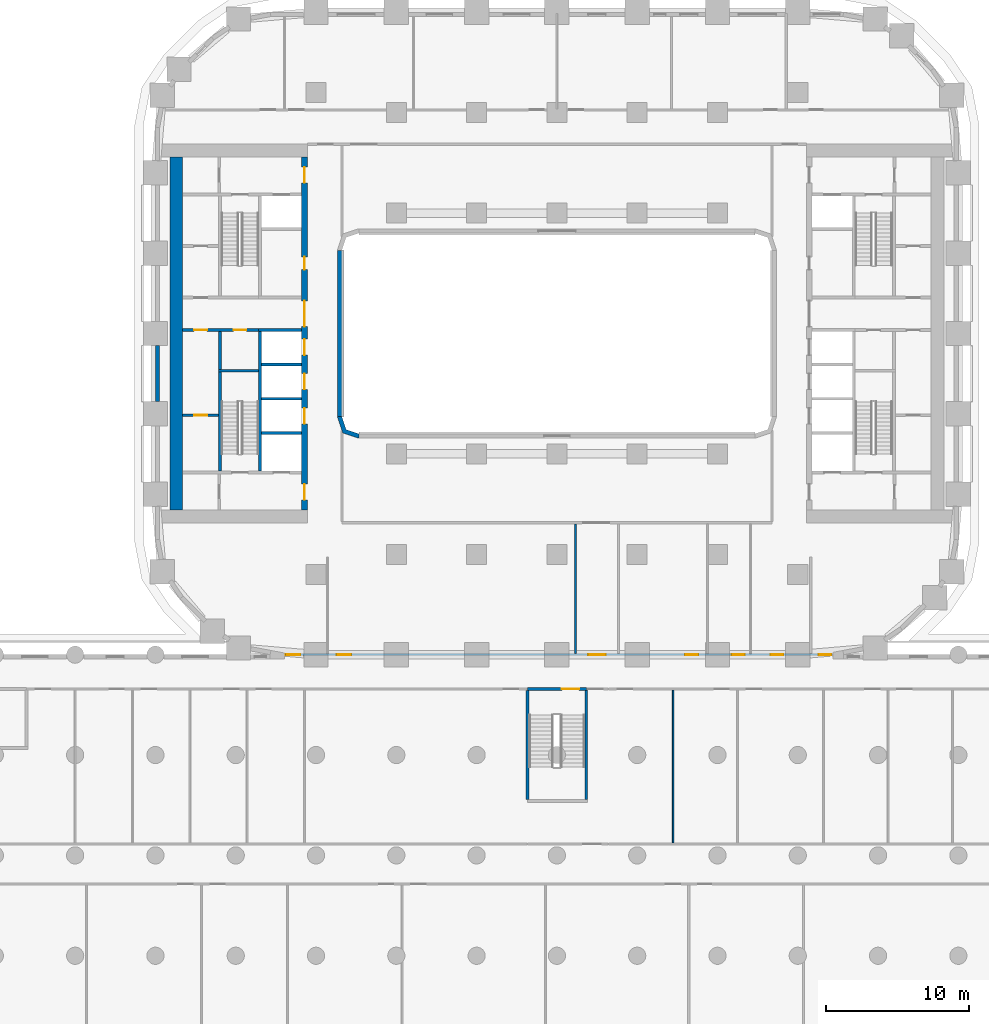
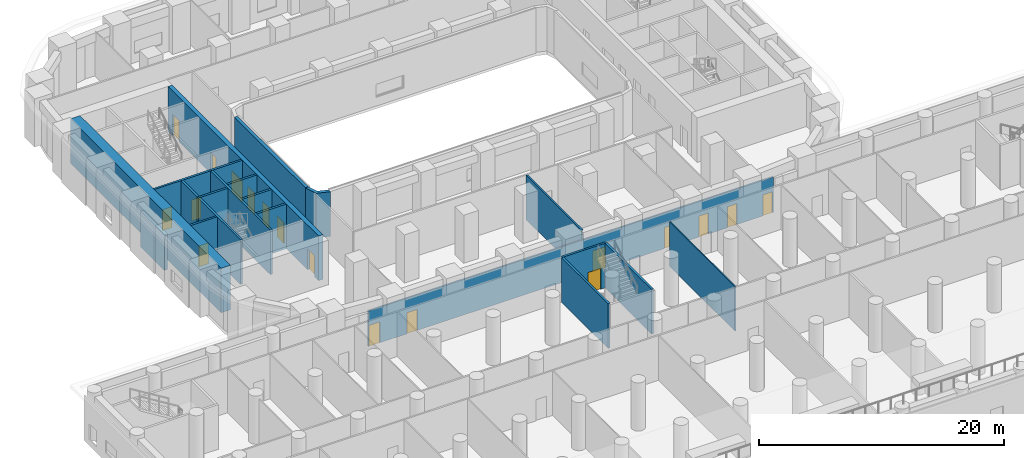
# One storey, part 11 of 27: 21 walls, 18 doors, 18 openings.
"""IFC4 building model written with IfcOpenShell, lengths in metres."""

from ifc_helpers import new_model, si_unit, direction, frame, frame_2d, origin, place, context, subcontext, project, spatial, polyline, rectangle, outline, extrude, material, layer, layer_set, type_object, element, fill, save


model = new_model("IFC4")

# Units and contexts
model_context = context("Model", 3, precision=1e-05, world=origin(), true_north=direction((0.0, 1.0)))
body_context = subcontext(model_context, "Body", "Model", "MODEL_VIEW")
ifc_project = project(units=[si_unit("LENGTHUNIT", "METRE"), si_unit("AREAUNIT", "SQUARE_METRE"), si_unit("VOLUMEUNIT", "CUBIC_METRE"), si_unit("PLANEANGLEUNIT", "RADIAN"), si_unit("MASSUNIT", "GRAM", prefix="KILO")], contexts=[model_context])

# Site, building, storey
site_placement = place(None, origin())
site = spatial("IfcSite", under=ifc_project, at=site_placement, CompositionType="ELEMENT")
building_placement = place(site_placement, origin())
building = spatial("IfcBuilding", under=site, at=building_placement, Name="Kiln Ring Residences", CompositionType="ELEMENT")
storey_placement = place(building_placement, frame((0.0, 0.0, 6.5)))
storey = spatial("IfcBuildingStorey", under=building, at=storey_placement, Name="L01", CompositionType="ELEMENT", Elevation=6.5)

# Wall
ifc_material_1 = material(Name="Gypsum board on steel studs", Category="steel")
ifc_layer_1 = layer(ifc_material_1, 0.199951171875)
ifc_layer_set_1 = layer_set([ifc_layer_1], Name="CORE-PARTITION-200")
wall_type_1 = type_object("IfcWallType", Name="CORE-PARTITION-200", PredefinedType="PARTITIONING", material=ifc_layer_set_1)
wall_1_placement = place(storey_placement, frame((-23.5, -2.5, 0.0), z_axis=(0.0, 0.0, 1.0), x_axis=(0.0, 1.0, 0.0)))
element("IfcWall", 1, at=wall_1_placement, inside=storey, type_object=wall_type_1, Name="Core partition west L01 1", PredefinedType="PARTITIONING", context=body_context, shape_type="SweptSolid", body=[
    extrude(rectangle(XDim=2.64990234375, YDim=0.199951171875, at=frame_2d((1.324951171875, 0.0))), origin(), (0.0, 0.0, 1.0), 4.449951171875),
])

# Wall, openings, doors
wall_2_placement = place(storey_placement, frame((-20.800048828125, 0.25, 0.0), z_axis=(0.0, 0.0, 1.0), x_axis=(-1.0, 0.0, 0.0)))
wall_2 = element("IfcWall", 2, at=wall_2_placement, inside=storey, type_object=wall_type_1, Name="Core partition west L01 2", PredefinedType="PARTITIONING", context=body_context, shape_type="SweptSolid", body=[
    extrude(rectangle(XDim=5.300048828125, YDim=0.199951171875, at=frame_2d((2.64990234375, 0.0))), origin(), (0.0, 0.0, 1.0), 4.449951171875),
])
opening_1_placement = place(wall_2_placement, frame((0.85009765625, 0.0, 0.0)))
opening_1 = element("IfcOpeningElement", 3, at=opening_1_placement, cuts=wall_2, Name="Opening L01-CW14", PredefinedType="OPENING", context=body_context, shape_type="SweptSolid", body=[
    extrude(rectangle(XDim=0.89990234375, YDim=2.10009765625, at=frame_2d((0.449951171875, 1.050048828125))), frame((0.0, 0.10986328125, 0.0), z_axis=(0.0, -1.0, 0.0), x_axis=(1.0, 0.0, 0.0)), (0.0, 0.0, 1.0), 0.219970703125),
])
opening_2_placement = place(wall_2_placement, frame((3.60009765625, 0.0, 0.0)))
opening_2 = element("IfcOpeningElement", 4, at=opening_2_placement, cuts=wall_2, Name="Opening L01-CW16", PredefinedType="OPENING", context=body_context, shape_type="SweptSolid", body=[
    extrude(rectangle(XDim=0.89990234375, YDim=2.10009765625, at=frame_2d((0.449951171875, 1.050048828125))), frame((0.0, 0.10986328125, 0.0), z_axis=(0.0, -1.0, 0.0), x_axis=(1.0, 0.0, 0.0)), (0.0, 0.0, 1.0), 0.219970703125),
])
ifc_material_2 = material(Name="Steel door leaf", Category="steel")
door_type_1 = type_object("IfcDoorType", Name="CORE-DOOR-ROOM", OperationType="SINGLE_SWING_LEFT", PredefinedType="DOOR", material=ifc_material_2)
door_1_placement = place(opening_1_placement, origin())
door_1 = element("IfcDoor", 5, at=door_1_placement, inside=storey, type_object=door_type_1, Name="Housekeeping store L01-CW14", OperationType="SINGLE_SWING_RIGHT", OverallHeight=2.10009765625, OverallWidth=0.89990234375, PredefinedType="DOOR", context=body_context, shape_type="SweptSolid", body=[
    extrude(rectangle(XDim=0.89990234375, YDim=2.10009765625, at=frame_2d((0.449951171875, 1.050048828125))), frame((0.0, 0.02490234375, 0.0), z_axis=(0.0, -1.0, 0.0), x_axis=(1.0, 0.0, 0.0)), (0.0, 0.0, 1.0), 0.050048828125),
])
fill(opening_1, door_1)
door_2_placement = place(opening_2_placement, origin())
door_2 = element("IfcDoor", 6, at=door_2_placement, inside=storey, type_object=door_type_1, Name="Battery room L01-CW16", OperationType="SINGLE_SWING_RIGHT", OverallHeight=2.10009765625, OverallWidth=0.89990234375, PredefinedType="DOOR", context=body_context, shape_type="SweptSolid", body=[
    extrude(rectangle(XDim=0.89990234375, YDim=2.10009765625, at=frame_2d((0.449951171875, 1.050048828125))), frame((0.0, 0.02490234375, 0.0), z_axis=(0.0, -1.0, 0.0), x_axis=(1.0, 0.0, 0.0)), (0.0, 0.0, 1.0), 0.050048828125),
])
fill(opening_2, door_2)

# Wall, opening, door
wall_3_placement = place(storey_placement, frame((-23.60009765625, -5.699951171875, 0.0), z_axis=(0.0, 0.0, 1.0), x_axis=(-1.0, 0.0, 0.0)))
wall_3 = element("IfcWall", 7, at=wall_3_placement, inside=storey, type_object=wall_type_1, Name="Core partition west L01 5", PredefinedType="PARTITIONING", context=body_context, shape_type="SweptSolid", body=[
    extrude(rectangle(XDim=2.5, YDim=0.199951171875, at=frame_2d((1.25, 0.0))), origin(), (0.0, 0.0, 1.0), 4.449951171875),
])
opening_3_placement = place(wall_3_placement, frame((0.800048828125, 0.0, 0.0)))
opening_3 = element("IfcOpeningElement", 8, at=opening_3_placement, cuts=wall_3, Name="Opening L01-CW15", PredefinedType="OPENING", context=body_context, shape_type="SweptSolid", body=[
    extrude(rectangle(XDim=0.89990234375, YDim=2.10009765625, at=frame_2d((0.449951171875, 1.050048828125))), frame((0.0, 0.10986328125, 0.0), z_axis=(0.0, -1.0, 0.0), x_axis=(1.0, 0.0, 0.0)), (0.0, 0.0, 1.0), 0.219970703125),
])
door_3_placement = place(opening_3_placement, origin())
door_3 = element("IfcDoor", 9, at=door_3_placement, inside=storey, type_object=door_type_1, Name="Battery room L01-CW15", OperationType="SINGLE_SWING_RIGHT", OverallHeight=2.10009765625, OverallWidth=0.89990234375, PredefinedType="DOOR", context=body_context, shape_type="SweptSolid", body=[
    extrude(rectangle(XDim=0.89990234375, YDim=2.10009765625, at=frame_2d((0.449951171875, 1.050048828125))), frame((0.0, 0.02490234375, 0.0), z_axis=(0.0, -1.0, 0.0), x_axis=(1.0, 0.0, 0.0)), (0.0, 0.0, 1.0), 0.050048828125),
])
fill(opening_3, door_3)

# Walls
ifc_material_3 = material(Name="Gypsum shaft wall system")
ifc_layer_2 = layer(ifc_material_3, 0.199951171875)
ifc_layer_set_2 = layer_set([ifc_layer_2], Name="CORE-SHAFT-WALL-200")
wall_type_2 = type_object("IfcWallType", Name="CORE-SHAFT-WALL-200", PredefinedType="PARTITIONING", material=ifc_layer_set_2)
for number, where, z_axis, x_axis, name in (
    (10, (-17.800048828125, -6.949951171875, 0.0), (0.0, 0.0, 1.0), (-1.0, 0.0, 0.0), "Core partition west L01 7"),
    (11, (-17.800048828125, -4.550048828125, 0.0), (0.0, 0.0, 1.0), (-1.0, 0.0, 0.0), "Core partition west L01 8"),
    (12, (-17.800048828125, -2.14990234375, 0.0), (0.0, 0.0, 1.0), (-1.0, 0.0, 0.0), "Core partition west L01 9"),
):
    element("IfcWall", number, at=place(storey_placement, frame(where, z_axis=z_axis, x_axis=x_axis)), inside=storey, type_object=wall_type_2, Name=name, PredefinedType="PARTITIONING", context=body_context, shape_type="SweptSolid", body=[
        extrude(rectangle(XDim=2.800048828125, YDim=0.199951171875, at=frame_2d((1.39990234375, 0.0))), origin(), (0.0, 0.0, 1.0), 4.449951171875),
    ])
wall_4_placement = place(storey_placement, frame((-17.800048828125, 0.25, 0.0), z_axis=(0.0, 0.0, 1.0), x_axis=(-1.0, 0.0, 0.0)))
element("IfcWall", 13, at=wall_4_placement, inside=storey, type_object=wall_type_2, Name="Core partition west L01 10", PredefinedType="PARTITIONING", context=body_context, shape_type="SweptSolid", body=[
    extrude(rectangle(XDim=3.0, YDim=0.199951171875, at=frame_2d((1.5, 0.0))), origin(), (0.0, 0.0, 1.0), 4.449951171875),
])
ifc_material_4 = material(Name="Concrete C40/50", Category="concrete")
ifc_layer_3 = layer(ifc_material_4, 0.199951171875)
ifc_layer_set_3 = layer_set([ifc_layer_3], Name="CORE-WALL-RC200")
wall_type_3 = type_object("IfcWallType", Name="CORE-WALL-RC200", PredefinedType="SHEAR", material=ifc_layer_set_3)
wall_5_placement = place(storey_placement, frame((-20.699951171875, -9.60009765625, 0.0), z_axis=(0.0, 0.0, 1.0), x_axis=(0.0, 1.0, 0.0)))
element("IfcWall", 14, at=wall_5_placement, inside=storey, type_object=wall_type_3, Name="Core wall west L01 2", PredefinedType="SHEAR", context=body_context, shape_type="SweptSolid", body=[
    extrude(rectangle(XDim=9.75, YDim=0.199951171875, at=frame_2d((4.875, 0.0))), origin(), (0.0, 0.0, 1.0), 4.449951171875),
])
wall_6_placement = place(storey_placement, frame((-23.5, -9.60009765625, 0.0), z_axis=(0.0, 0.0, 1.0), x_axis=(0.0, 1.0, 0.0)))
element("IfcWall", 15, at=wall_6_placement, inside=storey, type_object=wall_type_3, Name="Core wall west L01 11", PredefinedType="SHEAR", context=body_context, shape_type="SweptSolid", body=[
    extrude(rectangle(XDim=6.900146484375, YDim=0.199951171875, at=frame_2d((3.4501953125, 0.0))), origin(), (0.0, 0.0, 1.0), 4.449951171875),
])
wall_7_placement = place(storey_placement, frame((-20.800048828125, -2.60009765625, 0.0), z_axis=(0.0, 0.0, 1.0), x_axis=(-1.0, 0.0, 0.0)))
element("IfcWall", 16, at=wall_7_placement, inside=storey, type_object=wall_type_3, Name="Core wall west L01 12", PredefinedType="SHEAR", context=body_context, shape_type="SweptSolid", body=[
    extrude(rectangle(XDim=2.800048828125, YDim=0.199951171875, at=frame_2d((1.39990234375, 0.0))), origin(), (0.0, 0.0, 1.0), 4.449951171875),
])

# Wall, openings, doors
ifc_material_5 = material(Name="Concrete C60/75", Category="concrete")
ifc_layer_4 = layer(ifc_material_5, 0.39990234375)
ifc_layer_set_4 = layer_set([ifc_layer_4], Name="CORE-WALL-RC400")
wall_type_4 = type_object("IfcWallType", Name="CORE-WALL-RC400", PredefinedType="SHEAR", material=ifc_layer_set_4)
wall_8_placement = place(storey_placement, frame((-17.60009765625, -12.300048828125, 0.0), z_axis=(0.0, 0.0, 1.0), x_axis=(0.0, 1.0, 0.0)))
wall_8 = element("IfcWall", 17, at=wall_8_placement, inside=storey, type_object=wall_type_4, Name="Core wall west L01 6", PredefinedType="SHEAR", context=body_context, shape_type="SweptSolid", body=[
    extrude(rectangle(XDim=24.60009765625, YDim=0.39990234375, at=frame_2d((12.300048828125, 0.0))), origin(), (0.0, 0.0, 1.0), 4.449951171875),
])
opening_4_placement = place(wall_8_placement, frame((6.0, 0.0, 0.0)))
opening_4 = element("IfcOpeningElement", 18, at=opening_4_placement, cuts=wall_8, Name="Opening L01-CW02", PredefinedType="OPENING", context=body_context, shape_type="SweptSolid", body=[
    extrude(rectangle(XDim=1.10009765625, YDim=2.10009765625, at=frame_2d((0.550048828125, 1.050048828125))), frame((0.0, 0.2099609375, 0.0), z_axis=(0.0, -1.0, 0.0), x_axis=(1.0, 0.0, 0.0)), (0.0, 0.0, 1.0), 0.419921875),
])
opening_5_placement = place(wall_8_placement, frame((8.39990234375, 0.0, 0.0)))
opening_5 = element("IfcOpeningElement", 19, at=opening_5_placement, cuts=wall_8, Name="Opening L01-CW03", PredefinedType="OPENING", context=body_context, shape_type="SweptSolid", body=[
    extrude(rectangle(XDim=1.10009765625, YDim=2.10009765625, at=frame_2d((0.550048828125, 1.050048828125))), frame((0.0, 0.2099609375, 0.0), z_axis=(0.0, -1.0, 0.0), x_axis=(1.0, 0.0, 0.0)), (0.0, 0.0, 1.0), 0.419921875),
])
opening_6_placement = place(wall_8_placement, frame((10.800048828125, 0.0, 0.0)))
opening_6 = element("IfcOpeningElement", 20, at=opening_6_placement, cuts=wall_8, Name="Opening L01-CW04", PredefinedType="OPENING", context=body_context, shape_type="SweptSolid", body=[
    extrude(rectangle(XDim=1.10009765625, YDim=2.10009765625, at=frame_2d((0.550048828125, 1.050048828125))), frame((0.0, 0.2099609375, 0.0), z_axis=(0.0, -1.0, 0.0), x_axis=(1.0, 0.0, 0.0)), (0.0, 0.0, 1.0), 0.419921875),
])
opening_7_placement = place(wall_8_placement, frame((16.75, 0.0, 0.0)))
opening_7 = element("IfcOpeningElement", 21, at=opening_7_placement, cuts=wall_8, Name="Opening L01-CW05", PredefinedType="OPENING", context=body_context, shape_type="SweptSolid", body=[
    extrude(rectangle(XDim=0.89990234375, YDim=2.10009765625, at=frame_2d((0.449951171875, 1.050048828125))), frame((0.0, 0.2099609375, 0.0), z_axis=(0.0, -1.0, 0.0), x_axis=(1.0, 0.0, 0.0)), (0.0, 0.0, 1.0), 0.419921875),
])
opening_8_placement = place(wall_8_placement, frame((22.800048828125, 0.0, 0.0)))
opening_8 = element("IfcOpeningElement", 22, at=opening_8_placement, cuts=wall_8, Name="Opening L01-CW07", PredefinedType="OPENING", context=body_context, shape_type="SweptSolid", body=[
    extrude(rectangle(XDim=1.10009765625, YDim=2.10009765625, at=frame_2d((0.550048828125, 1.050048828125))), frame((0.0, 0.2099609375, 0.0), z_axis=(0.0, -1.0, 0.0), x_axis=(1.0, 0.0, 0.0)), (0.0, 0.0, 1.0), 0.419921875),
])
opening_9_placement = place(wall_8_placement, frame((0.699951171875, 0.0, 0.0)))
opening_9 = element("IfcOpeningElement", 23, at=opening_9_placement, cuts=wall_8, Name="Opening L01-CW08", PredefinedType="OPENING", context=body_context, shape_type="SweptSolid", body=[
    extrude(rectangle(XDim=1.10009765625, YDim=2.10009765625, at=frame_2d((0.550048828125, 1.050048828125))), frame((0.0, 0.2099609375, 0.0), z_axis=(0.0, -1.0, 0.0), x_axis=(1.0, 0.0, 0.0)), (0.0, 0.0, 1.0), 0.419921875),
])
opening_10_placement = place(wall_8_placement, frame((12.77490234375, 0.0, 0.0)))
opening_10 = element("IfcOpeningElement", 24, at=opening_10_placement, cuts=wall_8, Name="Opening L01-CW13", PredefinedType="OPENING", context=body_context, shape_type="SweptSolid", body=[
    extrude(rectangle(XDim=1.800048828125, YDim=2.10009765625, at=frame_2d((0.89990234375, 1.050048828125))), frame((0.0, 0.2099609375, 0.0), z_axis=(0.0, -1.0, 0.0), x_axis=(1.0, 0.0, 0.0)), (0.0, 0.0, 1.0), 0.419921875),
])
ifc_material_6 = material(Name="Steel door leaf", Category="steel")
door_type_2 = type_object("IfcDoorType", Name="CORE-DOOR-LD", OperationType="DOUBLE_DOOR_SLIDING", PredefinedType="DOOR", material=ifc_material_6)
door_4_placement = place(opening_4_placement, origin())
door_4 = element("IfcDoor", 25, at=door_4_placement, inside=storey, type_object=door_type_2, Name="LD W-L1 L01-CW02", OperationType="DOUBLE_DOOR_SLIDING", OverallHeight=2.10009765625, OverallWidth=1.10009765625, PredefinedType="DOOR", context=body_context, shape_type="SweptSolid", body=[
    extrude(rectangle(XDim=1.10009765625, YDim=2.10009765625, at=frame_2d((0.550048828125, 1.050048828125))), frame((0.0, 0.02490234375, 0.0), z_axis=(0.0, -1.0, 0.0), x_axis=(1.0, 0.0, 0.0)), (0.0, 0.0, 1.0), 0.050048828125),
])
fill(opening_4, door_4)
door_5_placement = place(opening_5_placement, origin())
door_5 = element("IfcDoor", 26, at=door_5_placement, inside=storey, type_object=door_type_2, Name="LD W-L2 L01-CW03", OperationType="DOUBLE_DOOR_SLIDING", OverallHeight=2.10009765625, OverallWidth=1.10009765625, PredefinedType="DOOR", context=body_context, shape_type="SweptSolid", body=[
    extrude(rectangle(XDim=1.10009765625, YDim=2.10009765625, at=frame_2d((0.550048828125, 1.050048828125))), frame((0.0, 0.02490234375, 0.0), z_axis=(0.0, -1.0, 0.0), x_axis=(1.0, 0.0, 0.0)), (0.0, 0.0, 1.0), 0.050048828125),
])
fill(opening_5, door_5)
door_6_placement = place(opening_6_placement, origin())
door_6 = element("IfcDoor", 27, at=door_6_placement, inside=storey, type_object=door_type_2, Name="LD W-L3 L01-CW04", OperationType="DOUBLE_DOOR_SLIDING", OverallHeight=2.10009765625, OverallWidth=1.10009765625, PredefinedType="DOOR", context=body_context, shape_type="SweptSolid", body=[
    extrude(rectangle(XDim=1.10009765625, YDim=2.10009765625, at=frame_2d((0.550048828125, 1.050048828125))), frame((0.0, 0.02490234375, 0.0), z_axis=(0.0, -1.0, 0.0), x_axis=(1.0, 0.0, 0.0)), (0.0, 0.0, 1.0), 0.050048828125),
])
fill(opening_6, door_6)
ifc_material_7 = material(Name="Steel door leaf", Category="steel")
door_type_3 = type_object("IfcDoorType", Name="CORE-DOOR-LOBBY", OperationType="SINGLE_SWING_LEFT", PredefinedType="DOOR", material=ifc_material_7)
door_7_placement = place(opening_8_placement, origin())
door_7 = element("IfcDoor", 28, at=door_7_placement, inside=storey, type_object=door_type_3, Name="FFL L01-CW07", OperationType="SINGLE_SWING_RIGHT", OverallHeight=2.10009765625, OverallWidth=1.10009765625, PredefinedType="DOOR", context=body_context, shape_type="SweptSolid", body=[
    extrude(rectangle(XDim=1.10009765625, YDim=2.10009765625, at=frame_2d((0.550048828125, 1.050048828125))), frame((0.0, 0.02490234375, 0.0), z_axis=(0.0, -1.0, 0.0), x_axis=(1.0, 0.0, 0.0)), (0.0, 0.0, 1.0), 0.050048828125),
])
fill(opening_8, door_7)
door_8_placement = place(opening_9_placement, origin())
door_8 = element("IfcDoor", 29, at=door_8_placement, inside=storey, type_object=door_type_3, Name="SVL L01-CW08", OperationType="SINGLE_SWING_LEFT", OverallHeight=2.10009765625, OverallWidth=1.10009765625, PredefinedType="DOOR", context=body_context, shape_type="SweptSolid", body=[
    extrude(rectangle(XDim=1.10009765625, YDim=2.10009765625, at=frame_2d((0.550048828125, 1.050048828125))), frame((0.0, 0.02490234375, 0.0), z_axis=(0.0, -1.0, 0.0), x_axis=(1.0, 0.0, 0.0)), (0.0, 0.0, 1.0), 0.050048828125),
])
fill(opening_9, door_8)
ifc_material_8 = material(Name="Steel door leaf", Category="steel")
door_type_4 = type_object("IfcDoorType", Name="CORE-DOOR-PASS", OperationType="DOUBLE_DOOR_SINGLE_SWING", PredefinedType="DOOR", material=ifc_material_8)
door_9_placement = place(opening_10_placement, origin())
door_9 = element("IfcDoor", 30, at=door_9_placement, inside=storey, type_object=door_type_4, Name="Core passage L01-CW13", OperationType="DOUBLE_DOOR_SINGLE_SWING", OverallHeight=2.10009765625, OverallWidth=1.800048828125, PredefinedType="DOOR", context=body_context, shape_type="SweptSolid", body=[
    extrude(rectangle(XDim=1.800048828125, YDim=2.10009765625, at=frame_2d((0.89990234375, 1.050048828125))), frame((0.0, 0.02490234375, 0.0), z_axis=(0.0, -1.0, 0.0), x_axis=(1.0, 0.0, 0.0)), (0.0, 0.0, 1.0), 0.050048828125),
])
fill(opening_10, door_9)
door_10_placement = place(opening_7_placement, origin())
door_10 = element("IfcDoor", 31, at=door_10_placement, inside=storey, type_object=door_type_1, Name="Locker store L01-CW05", OperationType="SINGLE_SWING_LEFT", OverallHeight=2.10009765625, OverallWidth=0.89990234375, PredefinedType="DOOR", context=body_context, shape_type="SweptSolid", body=[
    extrude(rectangle(XDim=0.89990234375, YDim=2.10009765625, at=frame_2d((0.449951171875, 1.050048828125))), frame((0.0, 0.02490234375, 0.0), z_axis=(0.0, -1.0, 0.0), x_axis=(1.0, 0.0, 0.0)), (0.0, 0.0, 1.0), 0.050048828125),
])
fill(opening_7, door_10)

# Walls
ifc_material_9 = material(Name="Concrete C60/75", Category="concrete")
ifc_layer_5 = layer(ifc_material_9, 0.89990234375)
ifc_layer_set_5 = layer_set([ifc_layer_5], Name="CORE-WALL-RC900")
wall_type_5 = type_object("IfcWallType", Name="CORE-WALL-RC900", PredefinedType="SHEAR", material=ifc_layer_set_5)
wall_9_placement = place(storey_placement, frame((-26.550048828125, -12.300048828125, 0.0), z_axis=(0.0, 0.0, 1.0), x_axis=(0.0, 1.0, 0.0)))
element("IfcWall", 32, at=wall_9_placement, inside=storey, type_object=wall_type_5, Name="Core wall west L01 7", PredefinedType="SHEAR", context=body_context, shape_type="SweptSolid", body=[
    extrude(rectangle(XDim=24.60009765625, YDim=0.89990234375, at=frame_2d((12.300048828125, 0.0))), origin(), (0.0, 0.0, 1.0), 4.449951171875),
])
ifc_material_10 = material(Name="Brick masonry, dark clay brick", Category="masonry")
ifc_layer_6 = layer(ifc_material_10, 0.300048828125)
ifc_layer_set_6 = layer_set([ifc_layer_6], Name="EW-300 BRICK WALL")
wall_type_6 = type_object("IfcWallType", Name="EW-300 BRICK WALL", PredefinedType="SOLIDWALL", material=ifc_layer_set_6)
wall_10_placement = place(storey_placement, frame((-27.85009765625, -0.85009765625, 0.0), z_axis=(0.0, 0.0, 1.0), x_axis=(0.0, -1.0, 0.0)))
element("IfcWall", 33, at=wall_10_placement, inside=storey, type_object=wall_type_6, Name="Facade wall L01 43", PredefinedType="SOLIDWALL", context=body_context, shape_type="SweptSolid", body=[
    extrude(rectangle(XDim=3.89990234375, YDim=0.300048828125, at=frame_2d((1.949951171875, 0.0))), origin(), (0.0, 0.0, 1.0), 3.550048828125),
])
wall_11_placement = place(storey_placement, frame((-15.14990234375, -5.800048828125, 0.0), z_axis=(0.0, 0.0, 1.0), x_axis=(0.0, 1.0, 0.0)))
element("IfcWall", 34, at=wall_11_placement, inside=storey, type_object=wall_type_6, Name="Facade wall L01 77", PredefinedType="SOLIDWALL", context=body_context, shape_type="SweptSolid", body=[
    extrude(rectangle(XDim=11.60009765625, YDim=0.300048828125, at=frame_2d((5.800048828125, 0.0))), origin(), (0.0, 0.0, 1.0), 4.449951171875),
])
wall_12_placement = place(storey_placement, origin())
element("IfcWall", 35, at=wall_12_placement, inside=storey, type_object=wall_type_6, Name="Corner wall L01 6", PredefinedType="SOLIDWALL", context=body_context, shape_type="SweptSolid", body=[
    extrude(outline(polyline([(-14.937255859375, -6.937255859375), (-13.8486328125, -7.300048828125), (-13.800048828125, -7.300048828125), (-13.800048828125, -7.0), (-14.699951171875, -6.699951171875), (-15.0, -5.800048828125), (-15.300048828125, -5.800048828125), (-15.300048828125, -5.8486328125), (-14.937255859375, -6.937255859375)])), origin(), (0.0, 0.0, 1.0), 4.449951171875),
])
ifc_material_11 = material(Name="Gypsum board on steel studs", Category="steel")
ifc_layer_7 = layer(ifc_material_11, 0.10009765625)
ifc_layer_set_7 = layer_set([ifc_layer_7], Name="PARTITION-100")
wall_type_7 = type_object("IfcWallType", Name="PARTITION-100", PredefinedType="PARTITIONING", material=ifc_layer_set_7)
wall_13_placement = place(storey_placement, frame((8.10009765625, -35.52490234375, 0.0), z_axis=(0.0, 0.0, 1.0), x_axis=(0.0, 1.0, 0.0)))
element("IfcWall", 36, at=wall_13_placement, inside=storey, type_object=wall_type_7, Name="Partition 038", PredefinedType="PARTITIONING", context=body_context, shape_type="SweptSolid", body=[
    extrude(rectangle(XDim=10.64990234375, YDim=0.10009765625, at=frame_2d((5.324951171875, 0.0))), origin(), (0.0, 0.0, 1.0), 4.449951171875),
])

# Wall, openings, doors
ifc_material_12 = material(Name="Brick masonry partition", Category="masonry")
ifc_layer_8 = layer(ifc_material_12, 0.14990234375)
ifc_layer_set_8 = layer_set([ifc_layer_8], Name="PARTITION-150-ei60")
wall_type_8 = type_object("IfcWallType", Name="PARTITION-150-ei60", PredefinedType="PARTITIONING", material=ifc_layer_set_8)
wall_14_placement = place(storey_placement, frame((-18.97998046875, -22.39990234375, 0.0), z_axis=(0.0, 0.0, 1.0), x_axis=(1.0, 0.0, 0.0)))
wall_14 = element("IfcWall", 37, at=wall_14_placement, inside=storey, type_object=wall_type_8, Name="Partition 013", PredefinedType="PARTITIONING", context=body_context, shape_type="SweptSolid", body=[
    extrude(rectangle(XDim=38.2109375, YDim=0.14990234375, at=frame_2d((19.10546875, 0.0))), origin(), (0.0, 0.0, 1.0), 3.550048828125),
])
opening_11_placement = place(wall_14_placement, frame((21.179931640625, 0.0, 0.0)))
opening_11 = element("IfcOpeningElement", 38, at=opening_11_placement, cuts=wall_14, Name="Opening L01-D005", PredefinedType="OPENING", context=body_context, shape_type="SweptSolid", body=[
    extrude(rectangle(XDim=1.199951171875, YDim=2.10009765625, at=frame_2d((0.60009765625, 1.050048828125))), frame((0.0, 0.0849609375, 0.0), z_axis=(0.0, -1.0, 0.0), x_axis=(1.0, 0.0, 0.0)), (0.0, 0.0, 1.0), 0.169921875),
])
opening_12_placement = place(wall_14_placement, frame((0.080078125, 0.0, 0.0)))
opening_12 = element("IfcOpeningElement", 39, at=opening_12_placement, cuts=wall_14, Name="Opening L01-D031", PredefinedType="OPENING", context=body_context, shape_type="SweptSolid", body=[
    extrude(rectangle(XDim=1.0, YDim=2.10009765625, at=frame_2d((0.5, 1.050048828125))), frame((0.0, 0.0849609375, 0.0), z_axis=(0.0, -1.0, 0.0), x_axis=(1.0, 0.0, 0.0)), (0.0, 0.0, 1.0), 0.169921875),
])
opening_13_placement = place(wall_14_placement, frame((3.6298828125, 0.0, 0.0)))
opening_13 = element("IfcOpeningElement", 40, at=opening_13_placement, cuts=wall_14, Name="Opening L01-D032", PredefinedType="OPENING", context=body_context, shape_type="SweptSolid", body=[
    extrude(rectangle(XDim=1.0, YDim=2.10009765625, at=frame_2d((0.5, 1.050048828125))), frame((0.0, 0.0849609375, 0.0), z_axis=(0.0, -1.0, 0.0), x_axis=(1.0, 0.0, 0.0)), (0.0, 0.0, 1.0), 0.169921875),
])
opening_14_placement = place(wall_14_placement, frame((27.929931640625, 0.0, 0.0)))
opening_14 = element("IfcOpeningElement", 41, at=opening_14_placement, cuts=wall_14, Name="Opening L01-D033", PredefinedType="OPENING", context=body_context, shape_type="SweptSolid", body=[
    extrude(rectangle(XDim=0.89990234375, YDim=2.10009765625, at=frame_2d((0.449951171875, 1.050048828125))), frame((0.0, 0.0849609375, 0.0), z_axis=(0.0, -1.0, 0.0), x_axis=(1.0, 0.0, 0.0)), (0.0, 0.0, 1.0), 0.169921875),
])
opening_15_placement = place(wall_14_placement, frame((31.179931640625, 0.0, 0.0)))
opening_15 = element("IfcOpeningElement", 42, at=opening_15_placement, cuts=wall_14, Name="Opening L01-D034", PredefinedType="OPENING", context=body_context, shape_type="SweptSolid", body=[
    extrude(rectangle(XDim=0.89990234375, YDim=2.10009765625, at=frame_2d((0.449951171875, 1.050048828125))), frame((0.0, 0.0849609375, 0.0), z_axis=(0.0, -1.0, 0.0), x_axis=(1.0, 0.0, 0.0)), (0.0, 0.0, 1.0), 0.169921875),
])
opening_16_placement = place(wall_14_placement, frame((33.8798828125, 0.0, 0.0)))
opening_16 = element("IfcOpeningElement", 43, at=opening_16_placement, cuts=wall_14, Name="Opening L01-D035", PredefinedType="OPENING", context=body_context, shape_type="SweptSolid", body=[
    extrude(rectangle(XDim=0.89990234375, YDim=2.10009765625, at=frame_2d((0.449951171875, 1.050048828125))), frame((0.0, 0.0849609375, 0.0), z_axis=(0.0, -1.0, 0.0), x_axis=(1.0, 0.0, 0.0)), (0.0, 0.0, 1.0), 0.169921875),
])
opening_17_placement = place(wall_14_placement, frame((37.23095703125, 0.0, 0.0)))
opening_17 = element("IfcOpeningElement", 44, at=opening_17_placement, cuts=wall_14, Name="Opening L01-D036", PredefinedType="OPENING", context=body_context, shape_type="SweptSolid", body=[
    extrude(rectangle(XDim=0.89990234375, YDim=2.10009765625, at=frame_2d((0.449951171875, 1.050048828125))), frame((0.0, 0.0849609375, 0.0), z_axis=(0.0, -1.0, 0.0), x_axis=(1.0, 0.0, 0.0)), (0.0, 0.0, 1.0), 0.169921875),
])
ifc_material_13 = material(Name="Steel faced fire door leaf", Category="steel")
door_type_5 = type_object("IfcDoorType", Name="FLAT-DOOR-1000-FR", OperationType="SINGLE_SWING_LEFT", PredefinedType="DOOR", material=ifc_material_13)
door_11_placement = place(opening_12_placement, origin())
door_11 = element("IfcDoor", 45, at=door_11_placement, inside=storey, type_object=door_type_5, Name="Door L01-D031", OperationType="SINGLE_SWING_RIGHT", OverallHeight=2.10009765625, OverallWidth=1.0, PredefinedType="DOOR", context=body_context, shape_type="SweptSolid", body=[
    extrude(rectangle(XDim=1.0, YDim=2.10009765625, at=frame_2d((0.5, 1.050048828125))), frame((0.0, 0.02490234375, 0.0), z_axis=(0.0, -1.0, 0.0), x_axis=(1.0, 0.0, 0.0)), (0.0, 0.0, 1.0), 0.050048828125),
])
fill(opening_12, door_11)
door_12_placement = place(opening_13_placement, origin())
door_12 = element("IfcDoor", 46, at=door_12_placement, inside=storey, type_object=door_type_5, Name="Door L01-D032", OperationType="SINGLE_SWING_RIGHT", OverallHeight=2.10009765625, OverallWidth=1.0, PredefinedType="DOOR", context=body_context, shape_type="SweptSolid", body=[
    extrude(rectangle(XDim=1.0, YDim=2.10009765625, at=frame_2d((0.5, 1.050048828125))), frame((0.0, 0.02490234375, 0.0), z_axis=(0.0, -1.0, 0.0), x_axis=(1.0, 0.0, 0.0)), (0.0, 0.0, 1.0), 0.050048828125),
])
fill(opening_13, door_12)
ifc_material_14 = material(Name="Steel faced fire door leaf", Category="steel")
door_type_6 = type_object("IfcDoorType", Name="FLAT-DOOR-1200-FR", OperationType="SINGLE_SWING_LEFT", PredefinedType="DOOR", material=ifc_material_14)
door_13_placement = place(opening_11_placement, origin())
door_13 = element("IfcDoor", 47, at=door_13_placement, inside=storey, type_object=door_type_6, Name="Door L01-D005", OperationType="SINGLE_SWING_LEFT", OverallHeight=2.10009765625, OverallWidth=1.199951171875, PredefinedType="DOOR", context=body_context, shape_type="SweptSolid", body=[
    extrude(rectangle(XDim=1.199951171875, YDim=2.10009765625, at=frame_2d((0.60009765625, 1.050048828125))), frame((0.0, 0.02490234375, 0.0), z_axis=(0.0, -1.0, 0.0), x_axis=(1.0, 0.0, 0.0)), (0.0, 0.0, 1.0), 0.050048828125),
])
fill(opening_11, door_13)
ifc_material_15 = material(Name="Steel faced fire door leaf", Category="steel")
door_type_7 = type_object("IfcDoorType", Name="FLAT-DOOR-900-FR", OperationType="SINGLE_SWING_LEFT", PredefinedType="DOOR", material=ifc_material_15)
door_14_placement = place(opening_14_placement, origin())
door_14 = element("IfcDoor", 48, at=door_14_placement, inside=storey, type_object=door_type_7, Name="Door L01-D033", OperationType="SINGLE_SWING_LEFT", OverallHeight=2.10009765625, OverallWidth=0.89990234375, PredefinedType="DOOR", context=body_context, shape_type="SweptSolid", body=[
    extrude(rectangle(XDim=0.89990234375, YDim=2.10009765625, at=frame_2d((0.449951171875, 1.050048828125))), frame((0.0, 0.02490234375, 0.0), z_axis=(0.0, -1.0, 0.0), x_axis=(1.0, 0.0, 0.0)), (0.0, 0.0, 1.0), 0.050048828125),
])
fill(opening_14, door_14)
door_15_placement = place(opening_15_placement, origin())
door_15 = element("IfcDoor", 49, at=door_15_placement, inside=storey, type_object=door_type_7, Name="Door L01-D034", OperationType="SINGLE_SWING_LEFT", OverallHeight=2.10009765625, OverallWidth=0.89990234375, PredefinedType="DOOR", context=body_context, shape_type="SweptSolid", body=[
    extrude(rectangle(XDim=0.89990234375, YDim=2.10009765625, at=frame_2d((0.449951171875, 1.050048828125))), frame((0.0, 0.02490234375, 0.0), z_axis=(0.0, -1.0, 0.0), x_axis=(1.0, 0.0, 0.0)), (0.0, 0.0, 1.0), 0.050048828125),
])
fill(opening_15, door_15)
door_16_placement = place(opening_16_placement, origin())
door_16 = element("IfcDoor", 50, at=door_16_placement, inside=storey, type_object=door_type_7, Name="Door L01-D035", OperationType="SINGLE_SWING_RIGHT", OverallHeight=2.10009765625, OverallWidth=0.89990234375, PredefinedType="DOOR", context=body_context, shape_type="SweptSolid", body=[
    extrude(rectangle(XDim=0.89990234375, YDim=2.10009765625, at=frame_2d((0.449951171875, 1.050048828125))), frame((0.0, 0.02490234375, 0.0), z_axis=(0.0, -1.0, 0.0), x_axis=(1.0, 0.0, 0.0)), (0.0, 0.0, 1.0), 0.050048828125),
])
fill(opening_16, door_16)
door_17_placement = place(opening_17_placement, origin())
door_17 = element("IfcDoor", 51, at=door_17_placement, inside=storey, type_object=door_type_7, Name="Door L01-D036", OperationType="SINGLE_SWING_RIGHT", OverallHeight=2.10009765625, OverallWidth=0.89990234375, PredefinedType="DOOR", context=body_context, shape_type="SweptSolid", body=[
    extrude(rectangle(XDim=0.89990234375, YDim=2.10009765625, at=frame_2d((0.449951171875, 1.050048828125))), frame((0.0, 0.02490234375, 0.0), z_axis=(0.0, -1.0, 0.0), x_axis=(1.0, 0.0, 0.0)), (0.0, 0.0, 1.0), 0.050048828125),
])
fill(opening_17, door_17)

# Wall
wall_15_placement = place(storey_placement, frame((1.300048828125, -22.324951171875, 0.0), z_axis=(0.0, 0.0, 1.0), x_axis=(0.0, 1.0, 0.0)))
element("IfcWall", 52, at=wall_15_placement, inside=storey, type_object=wall_type_8, Name="Partition 034", PredefinedType="PARTITIONING", context=body_context, shape_type="SweptSolid", body=[
    extrude(rectangle(XDim=9.050048828125, YDim=0.14990234375, at=frame_2d((4.52490234375, 0.0))), origin(), (0.0, 0.0, 1.0), 4.449951171875),
])

# Wall, opening, door
ifc_material_16 = material(Name="Concrete C40/50", Category="concrete")
ifc_layer_9 = layer(ifc_material_16, 0.199951171875)
ifc_layer_set_9 = layer_set([ifc_layer_9], Name="PODIUM-STAIR-WALL-200")
wall_type_9 = type_object("IfcWallType", Name="PODIUM-STAIR-WALL-200", PredefinedType="SHEAR", material=ifc_layer_set_9)
wall_16_placement = place(storey_placement, frame((-2.050048828125, -24.800048828125, 0.0), z_axis=(0.0, 0.0, 1.0), x_axis=(1.0, 0.0, 0.0)))
wall_16 = element("IfcWall", 53, at=wall_16_placement, inside=storey, type_object=wall_type_9, Name="Stair wall 011", PredefinedType="SHEAR", context=body_context, shape_type="SweptSolid", body=[
    extrude(rectangle(XDim=4.10009765625, YDim=0.199951171875, at=frame_2d((2.050048828125, 0.0))), origin(), (0.0, 0.0, 1.0), 4.449951171875),
])
opening_18_placement = place(wall_16_placement, frame((2.39990234375, 0.0, 0.0)))
opening_18 = element("IfcOpeningElement", 54, at=opening_18_placement, cuts=wall_16, Name="Opening L01-D008", PredefinedType="OPENING", context=body_context, shape_type="SweptSolid", body=[
    extrude(rectangle(XDim=1.199951171875, YDim=2.10009765625, at=frame_2d((0.60009765625, 1.050048828125))), frame((0.0, 0.10986328125, 0.0), z_axis=(0.0, -1.0, 0.0), x_axis=(1.0, 0.0, 0.0)), (0.0, 0.0, 1.0), 0.219970703125),
])
door_18_placement = place(opening_18_placement, origin())
door_18 = element("IfcDoor", 55, at=door_18_placement, inside=storey, type_object=door_type_6, Name="Door L01-D008", OperationType="SINGLE_SWING_RIGHT", OverallHeight=2.10009765625, OverallWidth=1.199951171875, PredefinedType="DOOR", context=body_context, shape_type="SweptSolid", body=[
    extrude(rectangle(XDim=1.199951171875, YDim=2.10009765625, at=frame_2d((0.60009765625, 1.050048828125))), frame((0.0, 0.02490234375, 0.0), z_axis=(0.0, -1.0, 0.0), x_axis=(1.0, 0.0, 0.0)), (0.0, 0.0, 1.0), 0.050048828125),
])
fill(opening_18, door_18)

# Walls
wall_17_placement = place(storey_placement, frame((2.050048828125, -32.5, 0.0), z_axis=(0.0, 0.0, 1.0), x_axis=(0.0, 1.0, 0.0)))
element("IfcWall", 56, at=wall_17_placement, inside=storey, type_object=wall_type_9, Name="Stair wall 035", PredefinedType="SHEAR", context=body_context, shape_type="SweptSolid", body=[
    extrude(rectangle(XDim=7.625, YDim=0.199951171875, at=frame_2d((3.8125, 0.0))), origin(), (0.0, 0.0, 1.0), 4.449951171875),
])
wall_18_placement = place(storey_placement, frame((-2.050048828125, -32.5, 0.0), z_axis=(0.0, 0.0, 1.0), x_axis=(0.0, 1.0, 0.0)))
element("IfcWall", 57, at=wall_18_placement, inside=storey, type_object=wall_type_9, Name="Stair wall PS-C W L01", PredefinedType="SHEAR", context=body_context, shape_type="SweptSolid", body=[
    extrude(rectangle(XDim=7.60009765625, YDim=0.199951171875, at=frame_2d((3.800048828125, 0.0))), origin(), (0.0, 0.0, 1.0), 4.449951171875),
])

save(model, "model.ifc")
